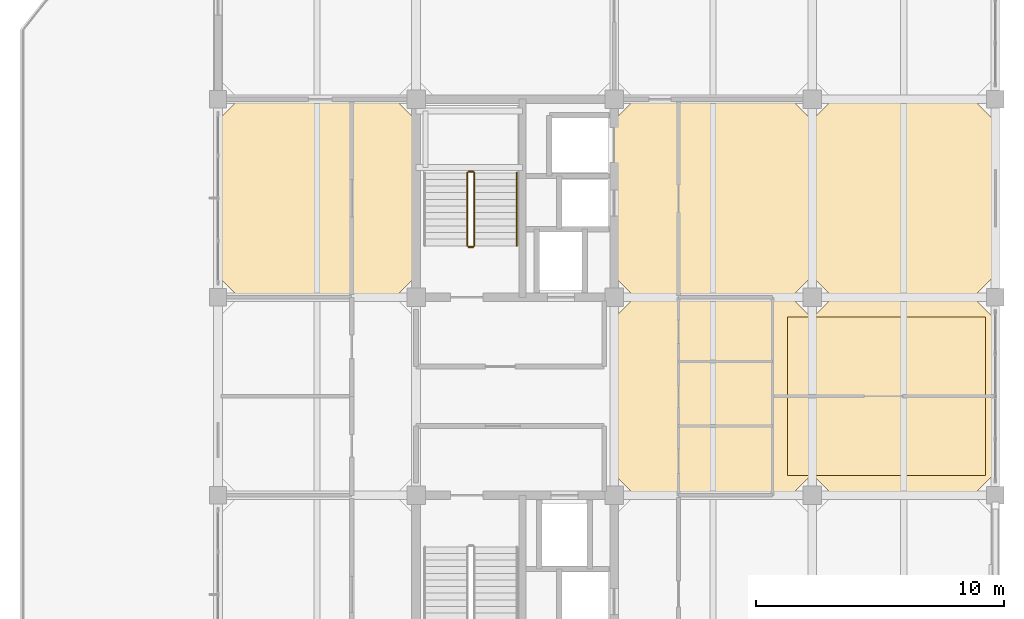
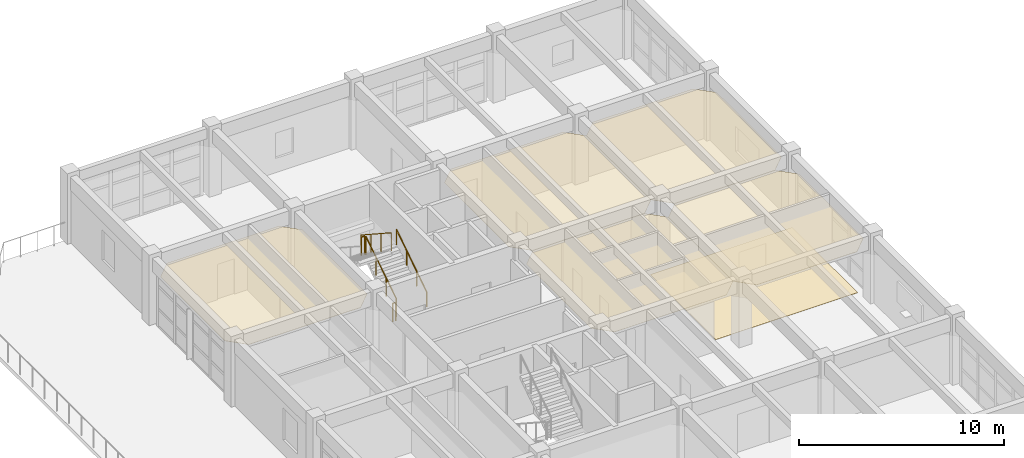
# One storey, part 24 of 25: 6 coverings, 5 railings.
"""IFC4 building model written with IfcOpenShell, lengths in metres."""

from ifc_helpers import new_model, si_unit, direction, frame, origin, origin_2d, place, context, subcontext, project, spatial, polyline, circle, outline, extrude, material, layer, layer_set, type_object, element, save


model = new_model("IFC4")

# Units and contexts
model_context = context("Model", 3, precision=1e-05, world=origin(), true_north=direction((0.0, 1.0)))
body_context = subcontext(model_context, "Body", "Model", "MODEL_VIEW")
ifc_project = project(units=[si_unit("LENGTHUNIT", "METRE"), si_unit("AREAUNIT", "SQUARE_METRE"), si_unit("VOLUMEUNIT", "CUBIC_METRE"), si_unit("PLANEANGLEUNIT", "RADIAN"), si_unit("MASSUNIT", "GRAM", prefix="KILO")], contexts=[model_context])

# Site, building, storey
site_placement = place(None, origin())
site = spatial("IfcSite", under=ifc_project, at=site_placement, CompositionType="ELEMENT")
building_placement = place(site_placement, origin())
building = spatial("IfcBuilding", under=site, at=building_placement, Name="Canggui Botanical Conservatory", CompositionType="ELEMENT")
storey_placement = place(building_placement, frame((0.0, 0.0, 40.199951171875)))
storey = spatial("IfcBuildingStorey", under=building, at=storey_placement, Name="L10", CompositionType="ELEMENT", Elevation=40.199951171875)

# Coverings
ifc_material_1 = material(Name="Mineral Fibre Acoustic Board")
ifc_layer_1 = layer(ifc_material_1, 0.014892578125, Name="Mineral Fibre Acoustic Board")
ifc_layer_set_1 = layer_set([ifc_layer_1], Name="Mineral Fibre Acoustic Board")
covering_type_1 = type_object("IfcCoveringType", Name="COV-CEIL-15", PredefinedType="CEILING", material=ifc_layer_set_1)
covering_1_placement = place(storey_placement, frame((0.0, 0.0, 3.094970703125)))
element("IfcCovering", 1, at=covering_1_placement, inside=storey, type_object=covering_type_1, Name="Suspended Acoustic Ceiling L10-162-50", PredefinedType="CEILING", context=body_context, shape_type="SweptSolid", body=[
    extrude(outline(polyline([(162.85009765625, 50.0), (169.14990234375, 50.0), (170.0, 50.85009765625), (170.0, 57.14990234375), (169.14990234375, 58.0), (162.85009765625, 58.0), (162.0, 57.14990234375), (162.0, 50.85009765625), (162.85009765625, 50.0)])), origin(), (0.0, 0.0, 1.0), 0.01513671875),
])
covering_2_placement = place(storey_placement, frame((0.0, 0.0, 3.094970703125)))
element("IfcCovering", 2, at=covering_2_placement, inside=storey, type_object=covering_type_1, Name="Suspended Acoustic Ceiling L10-170-58", PredefinedType="CEILING", context=body_context, shape_type="SweptSolid", body=[
    extrude(outline(polyline([(170.85009765625, 58.0), (176.5, 58.0), (177.35009765625, 58.85009765625), (177.35009765625, 65.14990234375), (176.5, 66.0), (170.85009765625, 66.0), (170.0, 65.14990234375), (170.0, 58.85009765625), (170.85009765625, 58.0)])), origin(), (0.0, 0.0, 1.0), 0.01513671875),
])
ifc_material_2 = material(Name="Perforated Gypsum Acoustic Panel")
ifc_layer_2 = layer(ifc_material_2, 0.02001953125, Name="Perforated Gypsum Acoustic Panel")
ifc_layer_set_2 = layer_set([ifc_layer_2], Name="Perforated Gypsum Acoustic Panel")
covering_type_2 = type_object("IfcCoveringType", Name="COV-CEIL-20", PredefinedType="CEILING", material=ifc_layer_set_2)
covering_3_placement = place(storey_placement, frame((0.0, 0.0, 3.090087890625)))
element("IfcCovering", 3, at=covering_3_placement, inside=storey, type_object=covering_type_2, Name="Suspended Acoustic Ceiling L10-146-58", PredefinedType="CEILING", context=body_context, shape_type="SweptSolid", body=[
    extrude(outline(polyline([(146.85009765625, 58.0), (153.14990234375, 58.0), (154.0, 58.85009765625), (154.0, 65.14990234375), (153.14990234375, 66.0), (146.85009765625, 66.0), (146.0, 65.14990234375), (146.0, 58.85009765625), (146.85009765625, 58.0)])), origin(), (0.0, 0.0, 1.0), 0.02001953125),
])
covering_4_placement = place(storey_placement, frame((0.0, 0.0, 3.090087890625)))
element("IfcCovering", 4, at=covering_4_placement, inside=storey, type_object=covering_type_2, Name="Suspended Acoustic Ceiling L10-162-58", PredefinedType="CEILING", context=body_context, shape_type="SweptSolid", body=[
    extrude(outline(polyline([(162.85009765625, 58.0), (169.14990234375, 58.0), (170.0, 58.85009765625), (170.0, 65.14990234375), (169.14990234375, 66.0), (162.85009765625, 66.0), (162.0, 65.14990234375), (162.0, 58.85009765625), (162.85009765625, 58.0)])), origin(), (0.0, 0.0, 1.0), 0.02001953125),
])
covering_5_placement = place(storey_placement, frame((0.0, 0.0, 3.090087890625)))
element("IfcCovering", 5, at=covering_5_placement, inside=storey, type_object=covering_type_2, Name="Suspended Acoustic Ceiling L10-170-50", PredefinedType="CEILING", context=body_context, shape_type="SweptSolid", body=[
    extrude(outline(polyline([(170.85009765625, 50.0), (176.5, 50.0), (177.35009765625, 50.85009765625), (177.35009765625, 57.14990234375), (176.5, 58.0), (170.85009765625, 58.0), (170.0, 57.14990234375), (170.0, 50.85009765625), (170.85009765625, 50.0)])), origin(), (0.0, 0.0, 1.0), 0.02001953125),
])
ifc_material_3 = material(Name="Seamless Laboratory Epoxy Resin")
ifc_layer_3 = layer(ifc_material_3, 0.011962890625, Name="Seamless Laboratory Epoxy Resin")
ifc_layer_set_3 = layer_set([ifc_layer_3], Name="Seamless Laboratory Epoxy Resin")
covering_type_3 = type_object("IfcCoveringType", Name="COV-FLR-12", PredefinedType="FLOORING", material=ifc_layer_set_3)
covering_6_placement = place(storey_placement, origin())
element("IfcCovering", 6, at=covering_6_placement, inside=storey, type_object=covering_type_3, Name="Laboratory Finish Flooring L10", PredefinedType="FLOORING", context=body_context, shape_type="SweptSolid", body=[
    extrude(outline(polyline([(169.0, 50.800048828125), (177.0, 50.800048828125), (177.0, 57.199951171875), (169.0, 57.199951171875), (169.0, 50.800048828125)])), origin(), (0.0, 0.0, 1.0), 0.011962890625),
])

# Railings
ifc_material_4 = material(Name="Stainless Steel 304", Category="steel")
railing_type_1 = type_object("IfcRailingType", Name="RAIL-GUARD-1100", PredefinedType="BALUSTRADE", material=ifc_material_4)
railing_1_placement = place(storey_placement, frame((156.35009765625, 60.080078125, 0.175048828125)))
element("IfcRailing", 7, at=railing_1_placement, inside=storey, type_object=railing_type_1, Name="L10 ST-T2 stair guard 1", PredefinedType="BALUSTRADE", context=body_context, shape_type="SweptSolid", body=[
    extrude(circle(Radius=0.02392578125, at=origin_2d()), frame((0.0, 0.0, 1.076171875), z_axis=(0.0, 0.837293178872, 0.54675417933), x_axis=(-1.0, 0.0, 0.0)), (0.0, 0.0, 1.0), 3.520751953125),
    extrude(circle(Radius=0.02099609375, at=origin_2d()), origin(), (0.0, 0.0, 1.0), 1.052001953125),
    extrude(circle(Radius=0.02099609375, at=origin_2d()), frame((0.0, 0.982666015625, 0.6416015625)), (0.0, 0.0, 1.0), 1.052001953125),
    extrude(circle(Radius=0.02099609375, at=origin_2d()), frame((0.0, 1.96533203125, 1.283447265625)), (0.0, 0.0, 1.0), 1.052001953125),
    extrude(circle(Radius=0.02099609375, at=origin_2d()), frame((0.0, 2.947998046875, 1.925048828125)), (0.0, 0.0, 1.0), 1.052001953125),
])
railing_2_placement = place(storey_placement, frame((156.300048828125, 63.077880859375, 2.10009765625)))
element("IfcRailing", 8, at=railing_2_placement, inside=storey, type_object=railing_type_1, Name="L10 ST-T2 stair guard 2", PredefinedType="BALUSTRADE", context=body_context, shape_type="SweptSolid", body=[
    extrude(circle(Radius=0.02392578125, at=origin_2d()), frame((0.0, 0.0, 1.076171875), z_axis=(-1.0, 0.0, 0.0), x_axis=(0.0, -1.0, 0.0)), (0.0, 0.0, 1.0), 0.179931640625),
    extrude(circle(Radius=0.02099609375, at=origin_2d()), origin(), (0.0, 0.0, 1.0), 1.052001953125),
    extrude(circle(Radius=0.02099609375, at=origin_2d()), frame((-0.179931640625, 0.0, 0.0)), (0.0, 0.0, 1.0), 1.052001953125),
])
railing_3_placement = place(storey_placement, frame((156.070068359375, 63.028076171875, 2.275146484375)))
element("IfcRailing", 9, at=railing_3_placement, inside=storey, type_object=railing_type_1, Name="L10 ST-T2 stair guard 3", PredefinedType="BALUSTRADE", context=body_context, shape_type="SweptSolid", body=[
    extrude(circle(Radius=0.02392578125, at=origin_2d()), frame((0.0, 0.0, 1.076171875), z_axis=(0.0, -0.837324922549, 0.546705564338), x_axis=(1.0, 0.0, 0.0)), (0.0, 0.0, 1.0), 3.520751953125),
    extrude(circle(Radius=0.02099609375, at=origin_2d()), origin(), (0.0, 0.0, 1.0), 1.052001953125),
    extrude(circle(Radius=0.02099609375, at=origin_2d()), frame((0.0, -0.982666015625, 0.6416015625)), (0.0, 0.0, 1.0), 1.052001953125),
    extrude(circle(Radius=0.02099609375, at=origin_2d()), frame((0.0, -1.96533203125, 1.283203125)), (0.0, 0.0, 1.0), 1.052001953125),
    extrude(circle(Radius=0.02099609375, at=origin_2d()), frame((0.0, -2.947998046875, 1.9248046875)), (0.0, 0.0, 1.0), 1.052001953125),
])
railing_4_placement = place(storey_placement, frame((156.300048828125, 60.030029296875, 0.0)))
element("IfcRailing", 10, at=railing_4_placement, inside=storey, type_object=railing_type_1, Name="L10 ST-T2 stair guard 4", PredefinedType="BALUSTRADE", context=body_context, shape_type="SweptSolid", body=[
    extrude(circle(Radius=0.02392578125, at=origin_2d()), frame((0.0, 0.0, 1.076171875), z_axis=(-1.0, 0.0, 0.0), x_axis=(0.0, -1.0, 0.0)), (0.0, 0.0, 1.0), 0.179931640625),
    extrude(circle(Radius=0.02099609375, at=origin_2d()), origin(), (0.0, 0.0, 1.0), 1.052001953125),
    extrude(circle(Radius=0.02099609375, at=origin_2d()), frame((-0.179931640625, 0.0, 0.0)), (0.0, 0.0, 1.0), 1.052001953125),
])
railing_type_2 = type_object("IfcRailingType", Name="RAIL-HAND-900", PredefinedType="HANDRAIL", material=ifc_material_4)
railing_5_placement = place(storey_placement, frame((158.070068359375, 60.080078125, 0.175048828125)))
element("IfcRailing", 11, at=railing_5_placement, inside=storey, type_object=railing_type_2, Name="L10 ST-T2 stair handrail 1", PredefinedType="HANDRAIL", context=body_context, shape_type="SweptSolid", body=[
    extrude(circle(Radius=0.02392578125, at=origin_2d()), frame((0.0, 0.0, 0.8759765625), z_axis=(0.0, 0.837293178872, 0.54675417933), x_axis=(-1.0, 0.0, 0.0)), (0.0, 0.0, 1.0), 3.520751953125),
    extrude(circle(Radius=0.02099609375, at=origin_2d()), origin(), (0.0, 0.0, 1.0), 0.851806640625),
    extrude(circle(Radius=0.02099609375, at=origin_2d()), frame((0.0, 0.982666015625, 0.6416015625)), (0.0, 0.0, 1.0), 0.851806640625),
    extrude(circle(Radius=0.02099609375, at=origin_2d()), frame((0.0, 1.96533203125, 1.283447265625)), (0.0, 0.0, 1.0), 0.851806640625),
    extrude(circle(Radius=0.02099609375, at=origin_2d()), frame((0.0, 2.947998046875, 1.925048828125)), (0.0, 0.0, 1.0), 0.851806640625),
])

save(model, "model.ifc")
